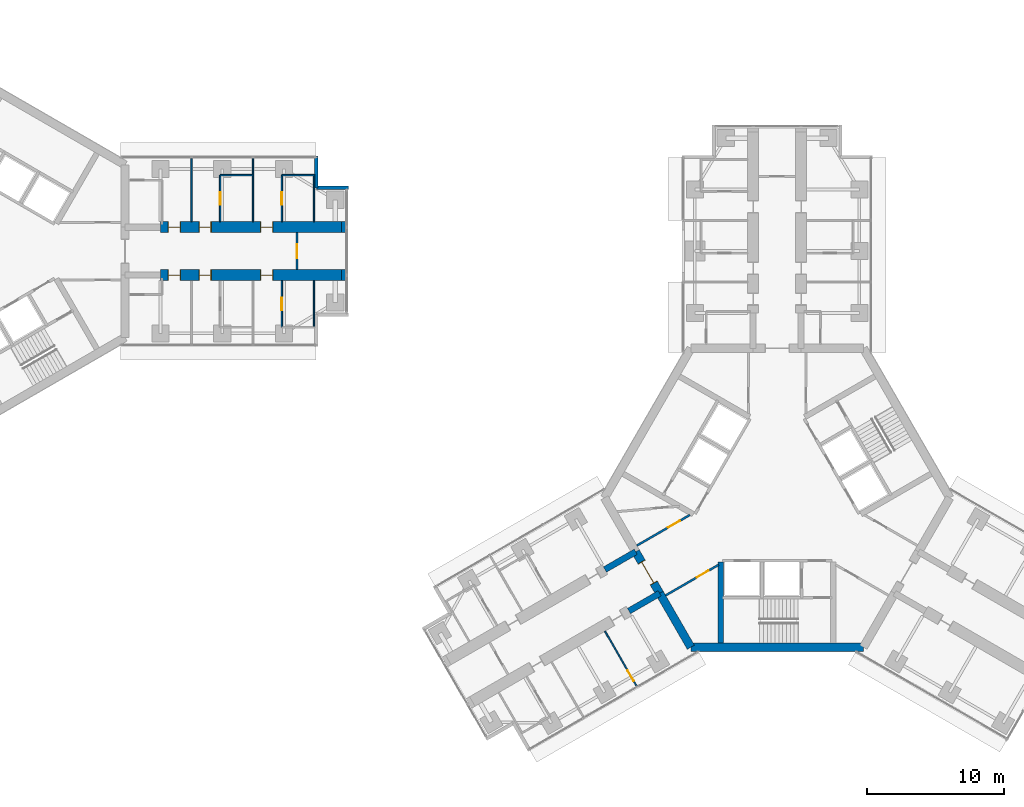
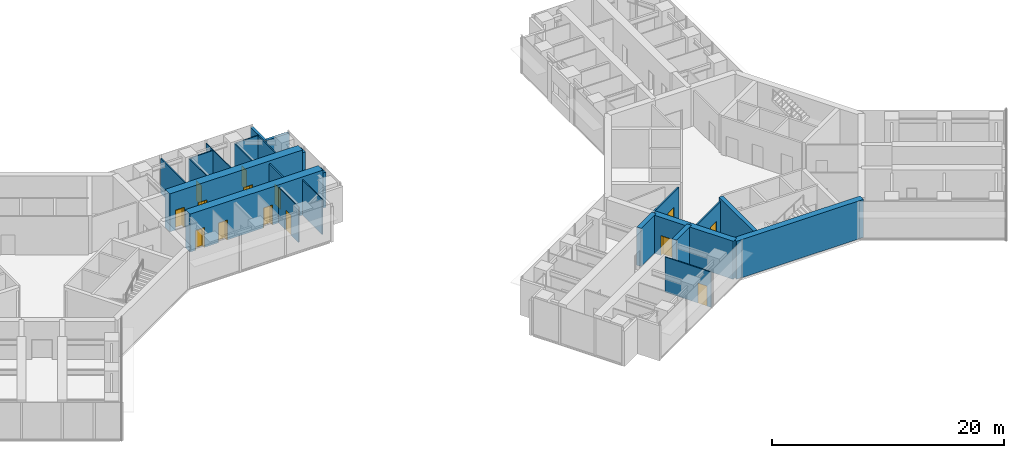
# One storey, part 18 of 23: 25 walls, 14 doors, 14 openings.
"""IFC4 building model written with IfcOpenShell, lengths in metres."""

from ifc_helpers import new_model, si_unit, direction, frame, frame_2d, origin, place, context, subcontext, project, spatial, rectangle, extrude, material, layer, layer_set, type_object, element, fill, save


model = new_model("IFC4")

# Units and contexts
model_context = context("Model", 3, precision=1e-05, world=origin(), true_north=direction((0.0, 1.0)))
body_context = subcontext(model_context, "Body", "Model", "MODEL_VIEW")
ifc_project = project(units=[si_unit("LENGTHUNIT", "METRE"), si_unit("AREAUNIT", "SQUARE_METRE"), si_unit("VOLUMEUNIT", "CUBIC_METRE"), si_unit("PLANEANGLEUNIT", "RADIAN"), si_unit("MASSUNIT", "GRAM", prefix="KILO")], contexts=[model_context])

# Site, building, storey
site_placement = place(None, origin())
site = spatial("IfcSite", under=ifc_project, at=site_placement, CompositionType="ELEMENT")
building_placement = place(site_placement, origin())
building = spatial("IfcBuilding", under=site, at=building_placement, Name="Upepo Twin Towers", CompositionType="ELEMENT")
storey_placement = place(building_placement, frame((0.0, 0.0, 161.5)))
storey = spatial("IfcBuildingStorey", under=building, at=storey_placement, Name="L39", CompositionType="ELEMENT", Elevation=161.5)

# Walls
ifc_material_1 = material(Name="Dense concrete blockwork", Category="masonry")
ifc_layer_1 = layer(ifc_material_1, 0.800048828125)
ifc_layer_set_1 = layer_set([ifc_layer_1], Name="Buttress closer 800, blockwork with fire-stopping to the curtain wall")
wall_type_1 = type_object("IfcWallType", Name="Buttress closer 800, blockwork with fire-stopping to the curtain wall", PredefinedType="PARTITIONING", material=ifc_layer_set_1)
for number, where, z_axis, x_axis, name in (
    (1, (26.699951171875, 1.75, 0.0), (0.0, 0.0, 1.0), (1.0, 0.0, 0.0), "T1 L39 wing A buttress closer L"),
    (2, (26.699951171875, -1.75, 0.0), (0.0, 0.0, 1.0), (1.0, 0.0, 0.0), "T1 L39 wing A buttress closer R"),
):
    element("IfcWall", number, at=place(storey_placement, frame(where, z_axis=z_axis, x_axis=x_axis)), inside=storey, type_object=wall_type_1, Name=name, PredefinedType="PARTITIONING", context=body_context, shape_type="SweptSolid", body=[
        extrude(rectangle(XDim=0.300048828125, YDim=0.800048828125, at=frame_2d((0.14990234375, 0.0))), origin(), (0.0, 0.0, 1.0), 3.699951171875),
    ])
ifc_material_2 = material(Name="Concrete C60/75", Category="concrete")
ifc_layer_2 = layer(ifc_material_2, 0.449951171875)
ifc_layer_set_2 = layer_set([ifc_layer_2], Name="Concrete C60/75")
wall_type_2 = type_object("IfcWallType", Name="Buttress wall 450 RC", PredefinedType="SHEAR", material=ifc_layer_set_2)
for number, where, z_axis, x_axis, name in (
    (3, (49.92822265625, -24.9697265625, 0.0), (0.0, 0.0, 1.0), (-0.866031863473, -0.499988811324, 0.0), "T2 wing B buttress wall L"),
    (4, (48.17822265625, -21.938720703125, 0.0), (0.0, 0.0, 1.0), (-0.866072649678, -0.499918158782, 0.0), "T2 wing B buttress wall R"),
):
    element("IfcWall", number, at=place(storey_placement, frame(where, z_axis=z_axis, x_axis=x_axis)), inside=storey, type_object=wall_type_2, Name=name, PredefinedType="SHEAR", context=body_context, shape_type="SweptSolid", body=[
        extrude(rectangle(XDim=2.591796875, YDim=0.449951171875, at=frame_2d((1.2958984375, 0.0))), origin(), (0.0, 0.0, 1.0), 4.0),
    ])

# Wall, openings, doors
ifc_material_3 = material(Name="Concrete C60/75", Category="concrete")
ifc_layer_3 = layer(ifc_material_3, 0.800048828125)
ifc_layer_set_3 = layer_set([ifc_layer_3], Name="Concrete C60/75")
wall_type_3 = type_object("IfcWallType", Name="Buttress wall 800 RC", PredefinedType="SHEAR", material=ifc_layer_set_3)
wall_1_placement = place(storey_placement, frame((13.5, 1.75, 0.0), z_axis=(0.0, 0.0, 1.0), x_axis=(1.0, 0.0, 0.0)))
wall_1 = element("IfcWall", 5, at=wall_1_placement, inside=storey, type_object=wall_type_3, Name="T1 wing A buttress wall L part 2", PredefinedType="SHEAR", context=body_context, shape_type="SweptSolid", body=[
    extrude(rectangle(XDim=13.199951171875, YDim=0.800048828125, at=frame_2d((6.60009765625, 0.0))), origin(), (0.0, 0.0, 1.0), 4.0),
])
opening_1_placement = place(wall_1_placement, frame((0.550048828125, 0.0, 0.0)))
opening_1 = element("IfcOpeningElement", 6, at=opening_1_placement, cuts=wall_1, Name="Opening D11", PredefinedType="OPENING", context=body_context, shape_type="SweptSolid", body=[
    extrude(rectangle(XDim=0.89990234375, YDim=2.10009765625, at=frame_2d((0.449951171875, 1.050048828125))), frame((0.0, 0.409912109375, 0.0), z_axis=(0.0, -1.0, 0.0), x_axis=(1.0, 0.0, 0.0)), (0.0, 0.0, 1.0), 0.820068359375),
])
opening_2_placement = place(wall_1_placement, frame((2.800048828125, 0.0, 0.0)))
opening_2 = element("IfcOpeningElement", 7, at=opening_2_placement, cuts=wall_1, Name="Opening D14", PredefinedType="OPENING", context=body_context, shape_type="SweptSolid", body=[
    extrude(rectangle(XDim=0.89990234375, YDim=2.10009765625, at=frame_2d((0.449951171875, 1.050048828125))), frame((0.0, 0.409912109375, 0.0), z_axis=(0.0, -1.0, 0.0), x_axis=(1.0, 0.0, 0.0)), (0.0, 0.0, 1.0), 0.820068359375),
])
opening_3_placement = place(wall_1_placement, frame((7.300048828125, 0.0, 0.0)))
opening_3 = element("IfcOpeningElement", 8, at=opening_3_placement, cuts=wall_1, Name="Opening D14", PredefinedType="OPENING", context=body_context, shape_type="SweptSolid", body=[
    extrude(rectangle(XDim=0.89990234375, YDim=2.10009765625, at=frame_2d((0.449951171875, 1.050048828125))), frame((0.0, 0.409912109375, 0.0), z_axis=(0.0, -1.0, 0.0), x_axis=(1.0, 0.0, 0.0)), (0.0, 0.0, 1.0), 0.820068359375),
])
ifc_material_4 = material(Name="Timber doorset", Category="wood")
door_type_1 = type_object("IfcDoorType", Name="Office door 900 FD30", OperationType="SINGLE_SWING_LEFT", PredefinedType="DOOR", material=ifc_material_4)
door_1_placement = place(opening_2_placement, origin())
door_1 = element("IfcDoor", 9, at=door_1_placement, inside=storey, type_object=door_type_1, Name="T1 L39 staff office door", OperationType="SINGLE_SWING_LEFT", OverallHeight=2.10009765625, OverallWidth=0.89990234375, PredefinedType="DOOR", context=body_context, shape_type="SweptSolid", body=[
    extrude(rectangle(XDim=0.81990234375, YDim=2.06009765625, at=frame_2d((0.449951171875, 1.030029296875))), frame((0.0, 0.02490234375, 0.0), z_axis=(0.0, -1.0, 0.0), x_axis=(1.0, 0.0, 0.0)), (0.0, 0.0, 1.0), 0.050048828125),
    extrude(rectangle(XDim=0.04, YDim=2.10009765625, at=frame_2d((0.02001953125, 1.050048828125))), frame((0.0, 0.39990234375, 0.0), z_axis=(0.0, -1.0, 0.0), x_axis=(1.0, 0.0, 0.0)), (0.0, 0.0, 1.0), 0.799560546875),
    extrude(rectangle(XDim=0.04, YDim=2.10009765625, at=frame_2d((0.8798828125, 1.050048828125))), frame((0.0, 0.39990234375, 0.0), z_axis=(0.0, -1.0, 0.0), x_axis=(1.0, 0.0, 0.0)), (0.0, 0.0, 1.0), 0.799560546875),
    extrude(rectangle(XDim=0.81990234375, YDim=0.04, at=frame_2d((0.449951171875, 2.080078125))), frame((0.0, 0.39990234375, 0.0), z_axis=(0.0, -1.0, 0.0), x_axis=(1.0, 0.0, 0.0)), (0.0, 0.0, 1.0), 0.799560546875),
])
fill(opening_2, door_1)
door_2_placement = place(opening_3_placement, origin())
door_2 = element("IfcDoor", 10, at=door_2_placement, inside=storey, type_object=door_type_1, Name="T1 L39 postgraduate office door", OperationType="SINGLE_SWING_RIGHT", OverallHeight=2.10009765625, OverallWidth=0.89990234375, PredefinedType="DOOR", context=body_context, shape_type="SweptSolid", body=[
    extrude(rectangle(XDim=0.81990234375, YDim=2.06009765625, at=frame_2d((0.449951171875, 1.030029296875))), frame((0.0, 0.02490234375, 0.0), z_axis=(0.0, -1.0, 0.0), x_axis=(1.0, 0.0, 0.0)), (0.0, 0.0, 1.0), 0.050048828125),
    extrude(rectangle(XDim=0.04, YDim=2.10009765625, at=frame_2d((0.02001953125, 1.050048828125))), frame((0.0, 0.39990234375, 0.0), z_axis=(0.0, -1.0, 0.0), x_axis=(1.0, 0.0, 0.0)), (0.0, 0.0, 1.0), 0.799560546875),
    extrude(rectangle(XDim=0.04, YDim=2.10009765625, at=frame_2d((0.8798828125, 1.050048828125))), frame((0.0, 0.39990234375, 0.0), z_axis=(0.0, -1.0, 0.0), x_axis=(1.0, 0.0, 0.0)), (0.0, 0.0, 1.0), 0.799560546875),
    extrude(rectangle(XDim=0.81990234375, YDim=0.04, at=frame_2d((0.449951171875, 2.080078125))), frame((0.0, 0.39990234375, 0.0), z_axis=(0.0, -1.0, 0.0), x_axis=(1.0, 0.0, 0.0)), (0.0, 0.0, 1.0), 0.799560546875),
])
fill(opening_3, door_2)
ifc_material_5 = material(Name="Timber doorset", Category="wood")
door_type_2 = type_object("IfcDoorType", Name="Toilet door 900", OperationType="SINGLE_SWING_LEFT", PredefinedType="DOOR", material=ifc_material_5)
door_3_placement = place(opening_1_placement, origin())
door_3 = element("IfcDoor", 11, at=door_3_placement, inside=storey, type_object=door_type_2, Name="T1 L39 accessible wc door", OperationType="SINGLE_SWING_LEFT", OverallHeight=2.10009765625, OverallWidth=0.89990234375, PredefinedType="DOOR", context=body_context, shape_type="SweptSolid", body=[
    extrude(rectangle(XDim=0.81990234375, YDim=2.06009765625, at=frame_2d((0.449951171875, 1.030029296875))), frame((0.0, 0.02490234375, 0.0), z_axis=(0.0, -1.0, 0.0), x_axis=(1.0, 0.0, 0.0)), (0.0, 0.0, 1.0), 0.050048828125),
    extrude(rectangle(XDim=0.04, YDim=2.10009765625, at=frame_2d((0.02001953125, 1.050048828125))), frame((0.0, 0.39990234375, 0.0), z_axis=(0.0, -1.0, 0.0), x_axis=(1.0, 0.0, 0.0)), (0.0, 0.0, 1.0), 0.799560546875),
    extrude(rectangle(XDim=0.04, YDim=2.10009765625, at=frame_2d((0.8798828125, 1.050048828125))), frame((0.0, 0.39990234375, 0.0), z_axis=(0.0, -1.0, 0.0), x_axis=(1.0, 0.0, 0.0)), (0.0, 0.0, 1.0), 0.799560546875),
    extrude(rectangle(XDim=0.81990234375, YDim=0.04, at=frame_2d((0.449951171875, 2.080078125))), frame((0.0, 0.39990234375, 0.0), z_axis=(0.0, -1.0, 0.0), x_axis=(1.0, 0.0, 0.0)), (0.0, 0.0, 1.0), 0.799560546875),
])
fill(opening_1, door_3)

wall_2_placement = place(storey_placement, frame((13.5, -1.75, 0.0), z_axis=(0.0, 0.0, 1.0), x_axis=(1.0, 0.0, 0.0)))
wall_2 = element("IfcWall", 12, at=wall_2_placement, inside=storey, type_object=wall_type_3, Name="T1 wing A buttress wall R part 2", PredefinedType="SHEAR", context=body_context, shape_type="SweptSolid", body=[
    extrude(rectangle(XDim=13.199951171875, YDim=0.800048828125, at=frame_2d((6.60009765625, 0.0))), origin(), (0.0, 0.0, 1.0), 4.0),
])
opening_4_placement = place(wall_2_placement, frame((0.550048828125, 0.0, 0.0)))
opening_4 = element("IfcOpeningElement", 13, at=opening_4_placement, cuts=wall_2, Name="Opening D11", PredefinedType="OPENING", context=body_context, shape_type="SweptSolid", body=[
    extrude(rectangle(XDim=0.89990234375, YDim=2.10009765625, at=frame_2d((0.449951171875, 1.050048828125))), frame((0.0, 0.409912109375, 0.0), z_axis=(0.0, -1.0, 0.0), x_axis=(1.0, 0.0, 0.0)), (0.0, 0.0, 1.0), 0.820068359375),
])
opening_5_placement = place(wall_2_placement, frame((2.800048828125, 0.0, 0.0)))
opening_5 = element("IfcOpeningElement", 14, at=opening_5_placement, cuts=wall_2, Name="Opening D14", PredefinedType="OPENING", context=body_context, shape_type="SweptSolid", body=[
    extrude(rectangle(XDim=0.89990234375, YDim=2.10009765625, at=frame_2d((0.449951171875, 1.050048828125))), frame((0.0, 0.409912109375, 0.0), z_axis=(0.0, -1.0, 0.0), x_axis=(1.0, 0.0, 0.0)), (0.0, 0.0, 1.0), 0.820068359375),
])
opening_6_placement = place(wall_2_placement, frame((7.300048828125, 0.0, 0.0)))
opening_6 = element("IfcOpeningElement", 15, at=opening_6_placement, cuts=wall_2, Name="Opening D14", PredefinedType="OPENING", context=body_context, shape_type="SweptSolid", body=[
    extrude(rectangle(XDim=0.89990234375, YDim=2.10009765625, at=frame_2d((0.449951171875, 1.050048828125))), frame((0.0, 0.409912109375, 0.0), z_axis=(0.0, -1.0, 0.0), x_axis=(1.0, 0.0, 0.0)), (0.0, 0.0, 1.0), 0.820068359375),
])
door_4_placement = place(opening_5_placement, origin())
door_4 = element("IfcDoor", 16, at=door_4_placement, inside=storey, type_object=door_type_1, Name="T1 L39 meeting room door", OperationType="SINGLE_SWING_LEFT", OverallHeight=2.10009765625, OverallWidth=0.89990234375, PredefinedType="DOOR", context=body_context, shape_type="SweptSolid", body=[
    extrude(rectangle(XDim=0.81990234375, YDim=2.06009765625, at=frame_2d((0.449951171875, 1.030029296875))), frame((0.0, 0.02490234375, 0.0), z_axis=(0.0, -1.0, 0.0), x_axis=(1.0, 0.0, 0.0)), (0.0, 0.0, 1.0), 0.050048828125),
    extrude(rectangle(XDim=0.04, YDim=2.10009765625, at=frame_2d((0.02001953125, 1.050048828125))), frame((0.0, 0.39990234375, 0.0), z_axis=(0.0, -1.0, 0.0), x_axis=(1.0, 0.0, 0.0)), (0.0, 0.0, 1.0), 0.799560546875),
    extrude(rectangle(XDim=0.04, YDim=2.10009765625, at=frame_2d((0.8798828125, 1.050048828125))), frame((0.0, 0.39990234375, 0.0), z_axis=(0.0, -1.0, 0.0), x_axis=(1.0, 0.0, 0.0)), (0.0, 0.0, 1.0), 0.799560546875),
    extrude(rectangle(XDim=0.81990234375, YDim=0.04, at=frame_2d((0.449951171875, 2.080078125))), frame((0.0, 0.39990234375, 0.0), z_axis=(0.0, -1.0, 0.0), x_axis=(1.0, 0.0, 0.0)), (0.0, 0.0, 1.0), 0.799560546875),
])
fill(opening_5, door_4)
door_5_placement = place(opening_6_placement, origin())
door_5 = element("IfcDoor", 17, at=door_5_placement, inside=storey, type_object=door_type_1, Name="T1 L39 staff office door", OperationType="SINGLE_SWING_RIGHT", OverallHeight=2.10009765625, OverallWidth=0.89990234375, PredefinedType="DOOR", context=body_context, shape_type="SweptSolid", body=[
    extrude(rectangle(XDim=0.81990234375, YDim=2.06009765625, at=frame_2d((0.449951171875, 1.030029296875))), frame((0.0, 0.02490234375, 0.0), z_axis=(0.0, -1.0, 0.0), x_axis=(1.0, 0.0, 0.0)), (0.0, 0.0, 1.0), 0.050048828125),
    extrude(rectangle(XDim=0.04, YDim=2.10009765625, at=frame_2d((0.02001953125, 1.050048828125))), frame((0.0, 0.39990234375, 0.0), z_axis=(0.0, -1.0, 0.0), x_axis=(1.0, 0.0, 0.0)), (0.0, 0.0, 1.0), 0.799560546875),
    extrude(rectangle(XDim=0.04, YDim=2.10009765625, at=frame_2d((0.8798828125, 1.050048828125))), frame((0.0, 0.39990234375, 0.0), z_axis=(0.0, -1.0, 0.0), x_axis=(1.0, 0.0, 0.0)), (0.0, 0.0, 1.0), 0.799560546875),
    extrude(rectangle(XDim=0.81990234375, YDim=0.04, at=frame_2d((0.449951171875, 2.080078125))), frame((0.0, 0.39990234375, 0.0), z_axis=(0.0, -1.0, 0.0), x_axis=(1.0, 0.0, 0.0)), (0.0, 0.0, 1.0), 0.799560546875),
])
fill(opening_6, door_5)
door_6_placement = place(opening_4_placement, origin())
door_6 = element("IfcDoor", 18, at=door_6_placement, inside=storey, type_object=door_type_2, Name="T1 L39 toilets door", OperationType="SINGLE_SWING_LEFT", OverallHeight=2.10009765625, OverallWidth=0.89990234375, PredefinedType="DOOR", context=body_context, shape_type="SweptSolid", body=[
    extrude(rectangle(XDim=0.81990234375, YDim=2.06009765625, at=frame_2d((0.449951171875, 1.030029296875))), frame((0.0, 0.02490234375, 0.0), z_axis=(0.0, -1.0, 0.0), x_axis=(1.0, 0.0, 0.0)), (0.0, 0.0, 1.0), 0.050048828125),
    extrude(rectangle(XDim=0.04, YDim=2.10009765625, at=frame_2d((0.02001953125, 1.050048828125))), frame((0.0, 0.39990234375, 0.0), z_axis=(0.0, -1.0, 0.0), x_axis=(1.0, 0.0, 0.0)), (0.0, 0.0, 1.0), 0.799560546875),
    extrude(rectangle(XDim=0.04, YDim=2.10009765625, at=frame_2d((0.8798828125, 1.050048828125))), frame((0.0, 0.39990234375, 0.0), z_axis=(0.0, -1.0, 0.0), x_axis=(1.0, 0.0, 0.0)), (0.0, 0.0, 1.0), 0.799560546875),
    extrude(rectangle(XDim=0.81990234375, YDim=0.04, at=frame_2d((0.449951171875, 2.080078125))), frame((0.0, 0.39990234375, 0.0), z_axis=(0.0, -1.0, 0.0), x_axis=(1.0, 0.0, 0.0)), (0.0, 0.0, 1.0), 0.799560546875),
])
fill(opening_4, door_6)

# Wall, opening, door
ifc_material_6 = material(Name="Concrete C60/75", Category="concrete")
ifc_layer_4 = layer(ifc_material_6, 0.60009765625)
ifc_layer_set_4 = layer_set([ifc_layer_4], Name="Concrete C60/75")
wall_type_4 = type_object("IfcWallType", Name="Core wall 600 RC", PredefinedType="SHEAR", material=ifc_layer_set_4)
wall_3_placement = place(storey_placement, frame((48.17822265625, -21.938720703125, 0.0), z_axis=(0.0, 0.0, 1.0), x_axis=(0.500010275428, -0.866019471182, 0.0)))
wall_3 = element("IfcWall", 19, at=wall_3_placement, inside=storey, type_object=wall_type_4, Name="T2 core wall 120", PredefinedType="SHEAR", context=body_context, shape_type="SweptSolid", body=[
    extrude(rectangle(XDim=3.5, YDim=0.60009765625, at=frame_2d((1.75, 0.0))), origin(), (0.0, 0.0, 1.0), 4.0),
])
opening_7_placement = place(wall_3_placement, frame((0.85009765625, 0.0, 0.0)))
opening_7 = element("IfcOpeningElement", 20, at=opening_7_placement, cuts=wall_3, Name="Opening D2", PredefinedType="OPENING", context=body_context, shape_type="SweptSolid", body=[
    extrude(rectangle(XDim=1.800048828125, YDim=2.10009765625, at=frame_2d((0.89990234375, 1.050048828125))), frame((0.0, 0.31005859375, 0.0), z_axis=(0.0, -1.0, 0.0), x_axis=(1.0, 0.0, 0.0)), (0.0, 0.0, 1.0), 0.6201171875),
])
ifc_material_7 = material(Name="Timber doorset", Category="wood")
door_type_3 = type_object("IfcDoorType", Name="Corridor double door 1800 FD60", OperationType="DOUBLE_DOOR_DOUBLE_SWING", PredefinedType="DOOR", material=ifc_material_7)
door_7_placement = place(opening_7_placement, origin())
door_7 = element("IfcDoor", 21, at=door_7_placement, inside=storey, type_object=door_type_3, Name="T2 L39 wing B corridor door", OperationType="DOUBLE_DOOR_DOUBLE_SWING", OverallHeight=2.10009765625, OverallWidth=1.800048828125, PredefinedType="DOOR", context=body_context, shape_type="SweptSolid", body=[
    extrude(rectangle(XDim=1.720048828125, YDim=2.06009765625, at=frame_2d((0.89990234375, 1.030029296875))), frame((0.0, 0.02490234375, 0.0), z_axis=(0.0, -1.0, 0.0), x_axis=(1.0, 0.0, 0.0)), (0.0, 0.0, 1.0), 0.050048828125),
    extrude(rectangle(XDim=0.04, YDim=2.10009765625, at=frame_2d((0.02001953125, 1.050048828125))), frame((0.0, 0.2998046875, 0.0), z_axis=(0.0, -1.0, 0.0), x_axis=(1.0, 0.0, 0.0)), (0.0, 0.0, 1.0), 0.599609375),
    extrude(rectangle(XDim=0.04, YDim=2.10009765625, at=frame_2d((1.780029296875, 1.050048828125))), frame((0.0, 0.2998046875, 0.0), z_axis=(0.0, -1.0, 0.0), x_axis=(1.0, 0.0, 0.0)), (0.0, 0.0, 1.0), 0.599609375),
    extrude(rectangle(XDim=1.720048828125, YDim=0.04, at=frame_2d((0.89990234375, 2.080078125))), frame((0.0, 0.2998046875, 0.0), z_axis=(0.0, -1.0, 0.0), x_axis=(1.0, 0.0, 0.0)), (0.0, 0.0, 1.0), 0.599609375),
])
fill(opening_7, door_7)

# Walls
wall_4_placement = place(storey_placement, frame((49.92822265625, -24.9697265625, 0.0), z_axis=(0.0, 0.0, 1.0), x_axis=(0.499984222037, -0.866034513004, 0.0)))
element("IfcWall", 22, at=wall_4_placement, inside=storey, type_object=wall_type_4, Name="T2 core wall 120 L", PredefinedType="SHEAR", context=body_context, shape_type="SweptSolid", body=[
    extrude(rectangle(XDim=4.548095703125, YDim=0.60009765625, at=frame_2d((2.27392578125, 0.0))), origin(), (0.0, 0.0, 1.0), 4.0),
])
wall_5_placement = place(storey_placement, frame((52.2021484375, -28.908447265625, 0.0), z_axis=(0.0, 0.0, 1.0), x_axis=(1.0, 0.0, 0.0)))
element("IfcWall", 23, at=wall_5_placement, inside=storey, type_object=wall_type_4, Name="T2 core wall 180", PredefinedType="SHEAR", context=body_context, shape_type="SweptSolid", body=[
    extrude(rectangle(XDim=12.595703125, YDim=0.60009765625, at=frame_2d((6.2978515625, 0.0))), origin(), (0.0, 0.0, 1.0), 4.0),
])
ifc_material_8 = material(Name="Blockwork with anodised aluminium cladding", Category="masonry")
ifc_layer_5 = layer(ifc_material_8, 0.25)
ifc_layer_set_5 = layer_set([ifc_layer_5], Name="Notch cladding wall 250, pale metal")
wall_type_5 = type_object("IfcWallType", Name="Notch cladding wall 250, pale metal", PredefinedType="STANDARD", material=ifc_layer_set_5)
for number, where, z_axis, x_axis, name in (
    (24, (24.875, 6.949951171875, 0.0), (0.0, 0.0, 1.0), (0.0, -1.0, 0.0), "T1 L39 wing A notch wall L1"),
    (25, (24.875, 4.625, 0.0), (0.0, 0.0, 1.0), (1.0, 0.0, 0.0), "T1 L39 wing A notch wall L2"),
):
    element("IfcWall", number, at=place(storey_placement, frame(where, z_axis=z_axis, x_axis=x_axis)), inside=storey, type_object=wall_type_5, Name=name, PredefinedType="STANDARD", context=body_context, shape_type="SweptSolid", body=[
        extrude(rectangle(XDim=2.324951171875, YDim=0.25, at=frame_2d((1.16259765625, 0.0))), origin(), (0.0, 0.0, 1.0), 3.699951171875),
    ])
ifc_material_9 = material(Name="Gypsum board on steel studs", Category="steel")
ifc_layer_6 = layer(ifc_material_9, 0.10009765625)
ifc_layer_set_6 = layer_set([ifc_layer_6], Name="Office partition 100 stud")
wall_type_6 = type_object("IfcWallType", Name="Office partition 100 stud", PredefinedType="PARTITIONING", material=ifc_layer_set_6)
for number, where, z_axis, x_axis, name in (
    (26, (15.75, 2.14990234375, 0.0), (0.0, 0.0, 1.0), (0.0, 1.0, 0.0), "T1 partition AL at 15.75"),
    (27, (20.25, 2.14990234375, 0.0), (0.0, 0.0, 1.0), (0.0, 1.0, 0.0), "T1 partition AL at 20.25"),
):
    element("IfcWall", number, at=place(storey_placement, frame(where, z_axis=z_axis, x_axis=x_axis)), inside=storey, type_object=wall_type_6, Name=name, PredefinedType="PARTITIONING", context=body_context, shape_type="SweptSolid", body=[
        extrude(rectangle(XDim=4.60009765625, YDim=0.10009765625, at=frame_2d((2.300048828125, 0.0))), origin(), (0.0, 0.0, 1.0), 3.699951171875),
    ])
wall_6_placement = place(storey_placement, frame((17.85009765625, 5.550048828125, 0.0), z_axis=(0.0, 0.0, 1.0), x_axis=(1.0, 0.0, 0.0)))
element("IfcWall", 28, at=wall_6_placement, inside=storey, type_object=wall_type_6, Name="T1 inner room partition AL at 17.85", PredefinedType="PARTITIONING", context=body_context, shape_type="SweptSolid", body=[
    extrude(rectangle(XDim=2.39990234375, YDim=0.10009765625, at=frame_2d((1.199951171875, 0.0))), origin(), (0.0, 0.0, 1.0), 3.699951171875),
])

# Wall, opening, door
wall_7_placement = place(storey_placement, frame((17.85009765625, 2.14990234375, 0.0), z_axis=(0.0, 0.0, 1.0), x_axis=(0.0, 1.0, 0.0)))
wall_7 = element("IfcWall", 29, at=wall_7_placement, inside=storey, type_object=wall_type_6, Name="T1 inner room partition AL end at 17.85", PredefinedType="PARTITIONING", context=body_context, shape_type="SweptSolid", body=[
    extrude(rectangle(XDim=3.400146484375, YDim=0.10009765625, at=frame_2d((1.7001953125, 0.0))), origin(), (0.0, 0.0, 1.0), 3.699951171875),
])
opening_8_placement = place(wall_7_placement, frame((1.25, 0.0, 0.0)))
opening_8 = element("IfcOpeningElement", 30, at=opening_8_placement, cuts=wall_7, Name="Opening D14", PredefinedType="OPENING", context=body_context, shape_type="SweptSolid", body=[
    extrude(rectangle(XDim=0.89990234375, YDim=2.10009765625, at=frame_2d((0.449951171875, 1.050048828125))), frame((0.0, 0.06005859375, 0.0), z_axis=(0.0, -1.0, 0.0), x_axis=(1.0, 0.0, 0.0)), (0.0, 0.0, 1.0), 0.1201171875),
])
door_8_placement = place(opening_8_placement, origin())
door_8 = element("IfcDoor", 31, at=door_8_placement, inside=storey, type_object=door_type_1, Name="T1 L39 inner room door", OperationType="SINGLE_SWING_LEFT", OverallHeight=2.10009765625, OverallWidth=0.89990234375, PredefinedType="DOOR", context=body_context, shape_type="SweptSolid", body=[
    extrude(rectangle(XDim=0.89990234375, YDim=2.10009765625, at=frame_2d((0.449951171875, 1.050048828125))), frame((0.0, 0.02490234375, 0.0), z_axis=(0.0, -1.0, 0.0), x_axis=(1.0, 0.0, 0.0)), (0.0, 0.0, 1.0), 0.050048828125),
])
fill(opening_8, door_8)

# Wall
wall_8_placement = place(storey_placement, frame((22.35009765625, 5.550048828125, 0.0), z_axis=(0.0, 0.0, 1.0), x_axis=(1.0, 0.0, 0.0)))
element("IfcWall", 32, at=wall_8_placement, inside=storey, type_object=wall_type_6, Name="T1 inner room partition AL at 22.35", PredefinedType="PARTITIONING", context=body_context, shape_type="SweptSolid", body=[
    extrude(rectangle(XDim=2.39990234375, YDim=0.10009765625, at=frame_2d((1.199951171875, 0.0))), origin(), (0.0, 0.0, 1.0), 3.699951171875),
])

# Wall, opening, door
wall_9_placement = place(storey_placement, frame((22.35009765625, 2.14990234375, 0.0), z_axis=(0.0, 0.0, 1.0), x_axis=(0.0, 1.0, 0.0)))
wall_9 = element("IfcWall", 33, at=wall_9_placement, inside=storey, type_object=wall_type_6, Name="T1 inner room partition AL end at 22.35", PredefinedType="PARTITIONING", context=body_context, shape_type="SweptSolid", body=[
    extrude(rectangle(XDim=3.400146484375, YDim=0.10009765625, at=frame_2d((1.7001953125, 0.0))), origin(), (0.0, 0.0, 1.0), 3.699951171875),
])
opening_9_placement = place(wall_9_placement, frame((1.25, 0.0, 0.0)))
opening_9 = element("IfcOpeningElement", 34, at=opening_9_placement, cuts=wall_9, Name="Opening D14", PredefinedType="OPENING", context=body_context, shape_type="SweptSolid", body=[
    extrude(rectangle(XDim=0.89990234375, YDim=2.10009765625, at=frame_2d((0.449951171875, 1.050048828125))), frame((0.0, 0.06005859375, 0.0), z_axis=(0.0, -1.0, 0.0), x_axis=(1.0, 0.0, 0.0)), (0.0, 0.0, 1.0), 0.1201171875),
])
door_9_placement = place(opening_9_placement, origin())
door_9 = element("IfcDoor", 35, at=door_9_placement, inside=storey, type_object=door_type_1, Name="T1 L39 inner room door", OperationType="SINGLE_SWING_LEFT", OverallHeight=2.10009765625, OverallWidth=0.89990234375, PredefinedType="DOOR", context=body_context, shape_type="SweptSolid", body=[
    extrude(rectangle(XDim=0.89990234375, YDim=2.10009765625, at=frame_2d((0.449951171875, 1.050048828125))), frame((0.0, 0.02490234375, 0.0), z_axis=(0.0, -1.0, 0.0), x_axis=(1.0, 0.0, 0.0)), (0.0, 0.0, 1.0), 0.050048828125),
])
fill(opening_9, door_9)

# Wall
wall_10_placement = place(storey_placement, frame((24.699951171875, 2.14990234375, 0.0), z_axis=(0.0, 0.0, 1.0), x_axis=(0.0, 1.0, 0.0)))
element("IfcWall", 36, at=wall_10_placement, inside=storey, type_object=wall_type_6, Name="T1 inner room partition AL end at 24.75", PredefinedType="PARTITIONING", context=body_context, shape_type="SweptSolid", body=[
    extrude(rectangle(XDim=3.400146484375, YDim=0.10009765625, at=frame_2d((1.7001953125, 0.0))), origin(), (0.0, 0.0, 1.0), 3.699951171875),
])

# Wall, opening, door
wall_11_placement = place(storey_placement, frame((22.35009765625, -2.14990234375, 0.0), z_axis=(0.0, 0.0, 1.0), x_axis=(0.0, -1.0, 0.0)))
wall_11 = element("IfcWall", 37, at=wall_11_placement, inside=storey, type_object=wall_type_6, Name="T1 inner room partition AR end at 22.35", PredefinedType="PARTITIONING", context=body_context, shape_type="SweptSolid", body=[
    extrude(rectangle(XDim=3.400146484375, YDim=0.10009765625, at=frame_2d((1.7001953125, 0.0))), origin(), (0.0, 0.0, 1.0), 3.699951171875),
])
opening_10_placement = place(wall_11_placement, frame((1.25, 0.0, 0.0)))
opening_10 = element("IfcOpeningElement", 38, at=opening_10_placement, cuts=wall_11, Name="Opening D14", PredefinedType="OPENING", context=body_context, shape_type="SweptSolid", body=[
    extrude(rectangle(XDim=0.89990234375, YDim=2.10009765625, at=frame_2d((0.449951171875, 1.050048828125))), frame((0.0, 0.06005859375, 0.0), z_axis=(0.0, -1.0, 0.0), x_axis=(1.0, 0.0, 0.0)), (0.0, 0.0, 1.0), 0.1201171875),
])
door_10_placement = place(opening_10_placement, origin())
door_10 = element("IfcDoor", 39, at=door_10_placement, inside=storey, type_object=door_type_1, Name="T1 L39 inner room door", OperationType="SINGLE_SWING_LEFT", OverallHeight=2.10009765625, OverallWidth=0.89990234375, PredefinedType="DOOR", context=body_context, shape_type="SweptSolid", body=[
    extrude(rectangle(XDim=0.89990234375, YDim=2.10009765625, at=frame_2d((0.449951171875, 1.050048828125))), frame((0.0, 0.02490234375, 0.0), z_axis=(0.0, -1.0, 0.0), x_axis=(1.0, 0.0, 0.0)), (0.0, 0.0, 1.0), 0.050048828125),
])
fill(opening_10, door_10)

# Wall
wall_12_placement = place(storey_placement, frame((24.699951171875, -2.14990234375, 0.0), z_axis=(0.0, 0.0, 1.0), x_axis=(0.0, -1.0, 0.0)))
element("IfcWall", 40, at=wall_12_placement, inside=storey, type_object=wall_type_6, Name="T1 inner room partition AR end at 24.75", PredefinedType="PARTITIONING", context=body_context, shape_type="SweptSolid", body=[
    extrude(rectangle(XDim=3.400146484375, YDim=0.10009765625, at=frame_2d((1.7001953125, 0.0))), origin(), (0.0, 0.0, 1.0), 3.699951171875),
])

# Wall, opening, door
wall_13_placement = place(storey_placement, frame((45.93505859375, -27.737060546875, 0.0), z_axis=(0.0, 0.0, 1.0), x_axis=(0.500014953309, -0.866016770315, 0.0)))
wall_13 = element("IfcWall", 41, at=wall_13_placement, inside=storey, type_object=wall_type_6, Name="T2 partition BL at 15.75", PredefinedType="PARTITIONING", context=body_context, shape_type="SweptSolid", body=[
    extrude(rectangle(XDim=4.599853515625, YDim=0.10009765625, at=frame_2d((2.2998046875, 0.0))), origin(), (0.0, 0.0, 1.0), 3.699951171875),
])
opening_11_placement = place(wall_13_placement, frame((3.300048828125, 0.0, 0.0)))
opening_11 = element("IfcOpeningElement", 42, at=opening_11_placement, cuts=wall_13, Name="Opening D14", PredefinedType="OPENING", context=body_context, shape_type="SweptSolid", body=[
    extrude(rectangle(XDim=0.89990234375, YDim=2.10009765625, at=frame_2d((0.449951171875, 1.050048828125))), frame((0.0, 0.06005859375, 0.0), z_axis=(0.0, -1.0, 0.0), x_axis=(1.0, 0.0, 0.0)), (0.0, 0.0, 1.0), 0.1201171875),
])
door_11_placement = place(opening_11_placement, origin())
door_11 = element("IfcDoor", 43, at=door_11_placement, inside=storey, type_object=door_type_1, Name="T2 L39 connecting door", OperationType="SINGLE_SWING_RIGHT", OverallHeight=2.10009765625, OverallWidth=0.89990234375, PredefinedType="DOOR", context=body_context, shape_type="SweptSolid", body=[
    extrude(rectangle(XDim=0.89990234375, YDim=2.10009765625, at=frame_2d((0.449951171875, 1.050048828125))), frame((0.0, 0.02490234375, 0.0), z_axis=(0.0, -1.0, 0.0), x_axis=(1.0, 0.0, 0.0)), (0.0, 0.0, 1.0), 0.050048828125),
])
fill(opening_11, door_11)

# Wall
ifc_material_10 = material(Name="Concrete C40/50", Category="concrete")
ifc_layer_7 = layer(ifc_material_10, 0.39990234375)
ifc_layer_set_7 = layer_set([ifc_layer_7], Name="Concrete C40/50")
wall_type_7 = type_object("IfcWallType", Name="Shaft wall 400 RC", PredefinedType="SHEAR", material=ifc_layer_set_7)
wall_14_placement = place(storey_placement, frame((54.39990234375, -22.699951171875, 0.0), z_axis=(0.0, 0.0, 1.0), x_axis=(0.0, -1.0, 0.0)))
element("IfcWall", 44, at=wall_14_placement, inside=storey, type_object=wall_type_7, Name="T2 core W180 side wall S", PredefinedType="SHEAR", context=body_context, shape_type="SweptSolid", body=[
    extrude(rectangle(XDim=5.908447265625, YDim=0.39990234375, at=frame_2d((2.9541015625, 0.0))), origin(), (0.0, 0.0, 1.0), 4.0),
])

# Wall, opening, door
ifc_material_11 = material(Name="Gypsum board on steel studs", Category="steel")
ifc_layer_8 = layer(ifc_material_11, 0.14990234375)
ifc_layer_set_8 = layer_set([ifc_layer_8], Name="Teaching partition 150 acoustic")
wall_type_8 = type_object("IfcWallType", Name="Teaching partition 150 acoustic", PredefinedType="PARTITIONING", material=ifc_layer_set_8)
wall_15_placement = place(storey_placement, frame((23.449951171875, -1.35009765625, 0.0), z_axis=(0.0, 0.0, 1.0), x_axis=(0.0, 1.0, 0.0)))
wall_15 = element("IfcWall", 45, at=wall_15_placement, inside=storey, type_object=wall_type_8, Name="T1 corridor end partition A at 23.45", PredefinedType="PARTITIONING", context=body_context, shape_type="SweptSolid", body=[
    extrude(rectangle(XDim=2.7001953125, YDim=0.14990234375, at=frame_2d((1.35009765625, 0.0))), origin(), (0.0, 0.0, 1.0), 3.699951171875),
])
opening_12_placement = place(wall_15_placement, frame((0.85009765625, 0.0, 0.0)))
opening_12 = element("IfcOpeningElement", 46, at=opening_12_placement, cuts=wall_15, Name="Opening D1", PredefinedType="OPENING", context=body_context, shape_type="SweptSolid", body=[
    extrude(rectangle(XDim=1.0, YDim=2.10009765625, at=frame_2d((0.5, 1.050048828125))), frame((0.0, 0.0849609375, 0.0), z_axis=(0.0, -1.0, 0.0), x_axis=(1.0, 0.0, 0.0)), (0.0, 0.0, 1.0), 0.169921875),
])
ifc_material_12 = material(Name="Timber doorset", Category="wood")
door_type_4 = type_object("IfcDoorType", Name="Room door 1000 FD30", OperationType="SINGLE_SWING_LEFT", PredefinedType="DOOR", material=ifc_material_12)
door_12_placement = place(opening_12_placement, origin())
door_12 = element("IfcDoor", 47, at=door_12_placement, inside=storey, type_object=door_type_4, Name="T1 L39 breakout study room door", OperationType="SINGLE_SWING_LEFT", OverallHeight=2.10009765625, OverallWidth=1.0, PredefinedType="DOOR", context=body_context, shape_type="SweptSolid", body=[
    extrude(rectangle(XDim=1.0, YDim=2.10009765625, at=frame_2d((0.5, 1.050048828125))), frame((0.0, 0.02490234375, 0.0), z_axis=(0.0, -1.0, 0.0), x_axis=(1.0, 0.0, 0.0)), (0.0, 0.0, 1.0), 0.050048828125),
])
fill(opening_12, door_12)

wall_16_placement = place(storey_placement, frame((48.25439453125, -21.490478515625, 0.0), z_axis=(0.0, 0.0, 1.0), x_axis=(0.866025707867, 0.499999473313, 0.0)))
wall_16 = element("IfcWall", 48, at=wall_16_placement, inside=storey, type_object=wall_type_8, Name="T2 core room partition 1", PredefinedType="PARTITIONING", context=body_context, shape_type="SweptSolid", body=[
    extrude(rectangle(XDim=4.4755859375, YDim=0.14990234375, at=frame_2d((2.23779296875, 0.0))), origin(), (0.0, 0.0, 1.0), 3.699951171875),
])
opening_13_placement = place(wall_16_placement, frame((2.633056640625, 0.0, 0.0)))
opening_13 = element("IfcOpeningElement", 49, at=opening_13_placement, cuts=wall_16, Name="Opening D1", PredefinedType="OPENING", context=body_context, shape_type="SweptSolid", body=[
    extrude(rectangle(XDim=1.0, YDim=2.10009765625, at=frame_2d((0.5, 1.050048828125))), frame((0.0, 0.0849609375, 0.0), z_axis=(0.0, -1.0, 0.0), x_axis=(1.0, 0.0, 0.0)), (0.0, 0.0, 1.0), 0.169921875),
])
door_13_placement = place(opening_13_placement, origin())
door_13 = element("IfcDoor", 50, at=door_13_placement, inside=storey, type_object=door_type_4, Name="T2 L39 core room door K2", OperationType="SINGLE_SWING_RIGHT", OverallHeight=2.10009765625, OverallWidth=1.0, PredefinedType="DOOR", context=body_context, shape_type="SweptSolid", body=[
    extrude(rectangle(XDim=1.0, YDim=2.10009765625, at=frame_2d((0.5, 1.050048828125))), frame((0.0, 0.02490234375, 0.0), z_axis=(0.0, -1.0, 0.0), x_axis=(1.0, 0.0, 0.0)), (0.0, 0.0, 1.0), 0.050048828125),
])
fill(opening_13, door_13)

wall_17_placement = place(storey_placement, frame((54.230224609375, -22.889892578125, 0.0), z_axis=(0.0, 0.0, 1.0), x_axis=(-0.866025707867, -0.499999473313, 0.0)))
wall_17 = element("IfcWall", 51, at=wall_17_placement, inside=storey, type_object=wall_type_8, Name="T2 core room partition 6", PredefinedType="PARTITIONING", context=body_context, shape_type="SweptSolid", body=[
    extrude(rectangle(XDim=4.4755859375, YDim=0.14990234375, at=frame_2d((2.23779296875, 0.0))), origin(), (0.0, 0.0, 1.0), 3.699951171875),
])
opening_14_placement = place(wall_17_placement, frame((0.8427734375, 0.0, 0.0)))
opening_14 = element("IfcOpeningElement", 52, at=opening_14_placement, cuts=wall_17, Name="Opening D1", PredefinedType="OPENING", context=body_context, shape_type="SweptSolid", body=[
    extrude(rectangle(XDim=1.0, YDim=2.10009765625, at=frame_2d((0.5, 1.050048828125))), frame((0.0, 0.0849609375, 0.0), z_axis=(0.0, -1.0, 0.0), x_axis=(1.0, 0.0, 0.0)), (0.0, 0.0, 1.0), 0.169921875),
])
door_14_placement = place(opening_14_placement, origin())
door_14 = element("IfcDoor", 53, at=door_14_placement, inside=storey, type_object=door_type_4, Name="T2 L39 core room door K3", OperationType="SINGLE_SWING_LEFT", OverallHeight=2.10009765625, OverallWidth=1.0, PredefinedType="DOOR", context=body_context, shape_type="SweptSolid", body=[
    extrude(rectangle(XDim=1.0, YDim=2.10009765625, at=frame_2d((0.5, 1.050048828125))), frame((0.0, 0.02490234375, 0.0), z_axis=(0.0, -1.0, 0.0), x_axis=(1.0, 0.0, 0.0)), (0.0, 0.0, 1.0), 0.050048828125),
])
fill(opening_14, door_14)

save(model, "model.ifc")
